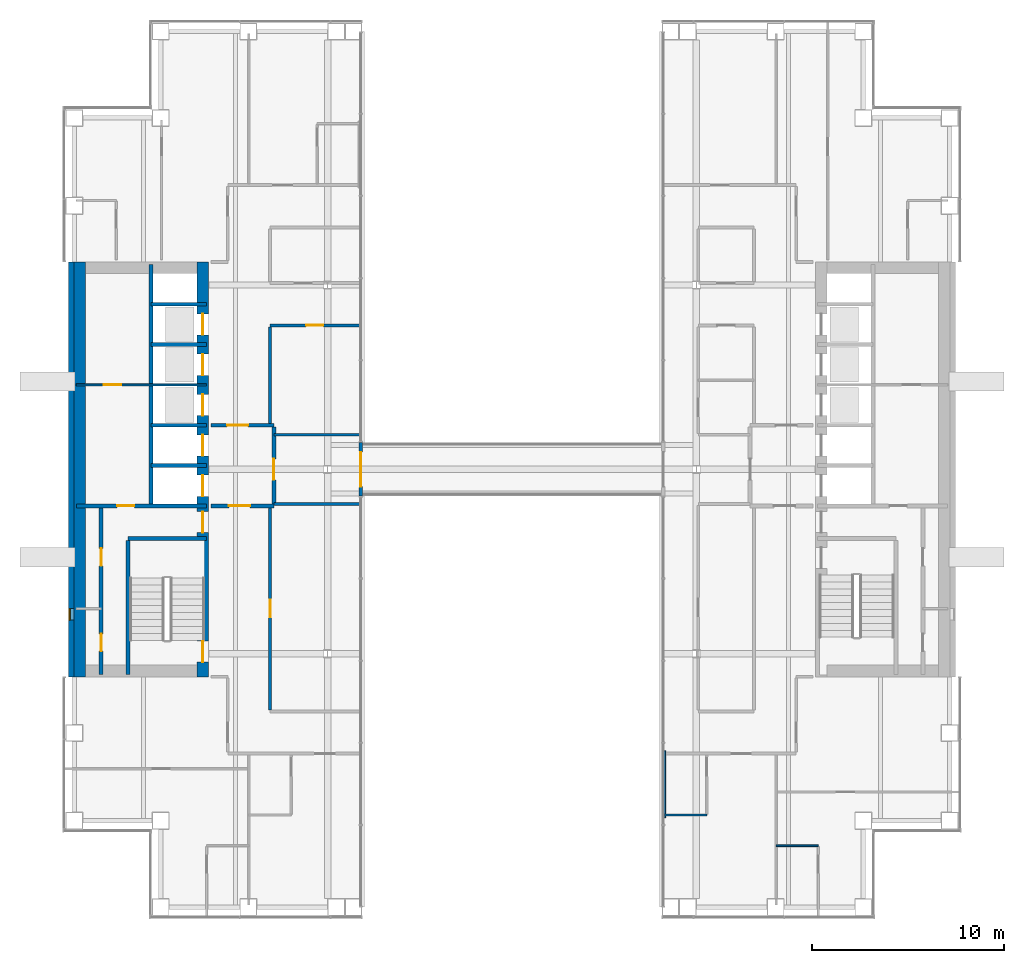
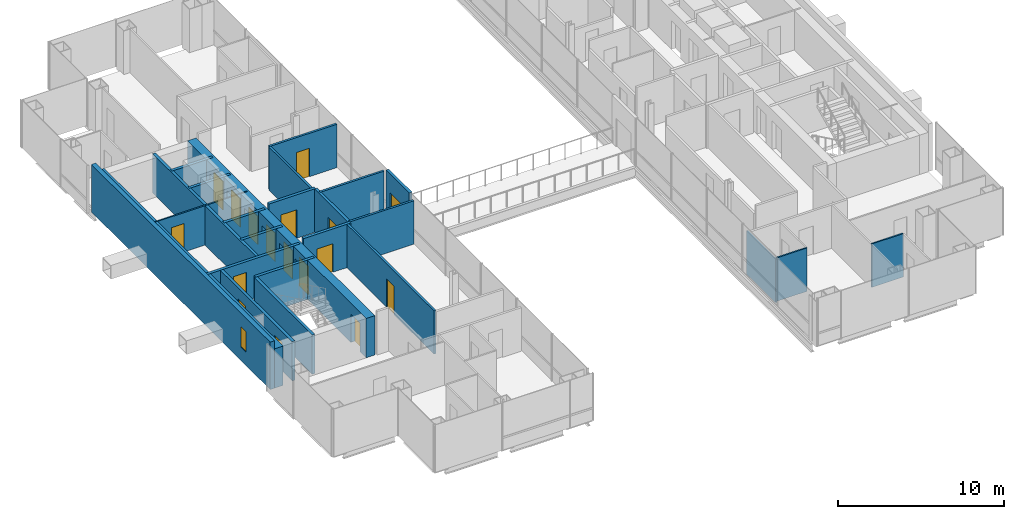
# One storey, part 12 of 17: 26 walls, 17 doors, 1 window, 18 openings.
"""IFC4 building model written with IfcOpenShell, lengths in metres."""

from ifc_helpers import new_model, si_unit, direction, frame, frame_2d, origin, place, context, subcontext, project, spatial, rectangle, extrude, material, layer, layer_set, type_object, element, fill, save


model = new_model("IFC4")

# Units and contexts
model_context = context("Model", 3, precision=1e-05, world=origin(), true_north=direction((0.0, 1.0)))
body_context = subcontext(model_context, "Body", "Model", "MODEL_VIEW")
ifc_project = project(units=[si_unit("LENGTHUNIT", "METRE"), si_unit("AREAUNIT", "SQUARE_METRE"), si_unit("VOLUMEUNIT", "CUBIC_METRE"), si_unit("PLANEANGLEUNIT", "RADIAN"), si_unit("MASSUNIT", "GRAM", prefix="KILO")], contexts=[model_context])

# Site, building, storey
site_placement = place(None, origin())
site = spatial("IfcSite", under=ifc_project, at=site_placement, CompositionType="ELEMENT")
building_placement = place(site_placement, origin())
building = spatial("IfcBuilding", under=site, at=building_placement, Name="Cobrizo Arcos Hotel Tower", CompositionType="ELEMENT")
storey_placement = place(building_placement, frame((0.0, 0.0, 134.5)))
storey = spatial("IfcBuildingStorey", under=building, at=storey_placement, Name="L34", CompositionType="ELEMENT", Elevation=134.5)

# Walls
ifc_material_1 = material(Name="Gypsum board partition")
ifc_layer_1 = layer(ifc_material_1, 0.14990234375)
ifc_layer_set_1 = layer_set([ifc_layer_1], Name="Corridor wall EI 60 150")
wall_type_1 = type_object("IfcWallType", Name="Corridor wall EI 60 150", PredefinedType="PARTITIONING", material=ifc_layer_set_1)
for number, where, z_axis, x_axis, name in (
    (1, (-12.39990234375, -1.800048828125, 0.0), (0.0, 0.0, 1.0), (1.0, 0.0, 0.0), "Partition 021"),
    (2, (-12.39990234375, 1.800048828125, 0.0), (0.0, 0.0, 1.0), (1.0, 0.0, 0.0), "Partition 025"),
):
    element("IfcWall", number, at=place(storey_placement, frame(where, z_axis=z_axis, x_axis=x_axis)), inside=storey, type_object=wall_type_1, Name=name, PredefinedType="PARTITIONING", context=body_context, shape_type="SweptSolid", body=[
        extrude(rectangle(XDim=4.47998046875, YDim=0.14990234375, at=frame_2d((2.239990234375, 0.0))), origin(), (0.0, 0.0, 1.0), 3.199951171875),
    ])

# Wall, opening, door
wall_1_placement = place(storey_placement, frame((-12.60009765625, 7.5, 0.0), z_axis=(0.0, 0.0, 1.0), x_axis=(1.0, 0.0, 0.0)))
wall_1 = element("IfcWall", 3, at=wall_1_placement, inside=storey, type_object=wall_type_1, Name="Partition 036", PredefinedType="PARTITIONING", context=body_context, shape_type="SweptSolid", body=[
    extrude(rectangle(XDim=4.68017578125, YDim=0.14990234375, at=frame_2d((2.340087890625, 0.0))), origin(), (0.0, 0.0, 1.0), 3.199951171875),
])
opening_1_placement = place(wall_1_placement, frame((1.875, 0.0, 0.0)))
opening_1 = element("IfcOpeningElement", 4, at=opening_1_placement, cuts=wall_1, Name="Opening RD-16", PredefinedType="OPENING", context=body_context, shape_type="SweptSolid", body=[
    extrude(rectangle(XDim=0.89990234375, YDim=2.10009765625, at=frame_2d((0.449951171875, 1.050048828125))), frame((0.0, 0.0869140625, 0.0), z_axis=(0.0, -1.0, 0.0), x_axis=(1.0, 0.0, 0.0)), (0.0, 0.0, 1.0), 0.173828125),
])
ifc_material_2 = material(Name="Timber door leaf", Category="wood")
door_type_1 = type_object("IfcDoorType", Name="Room door FD30 900x2100", OperationType="SINGLE_SWING_LEFT", PredefinedType="DOOR", material=ifc_material_2)
door_1_placement = place(opening_1_placement, origin())
door_1 = element("IfcDoor", 5, at=door_1_placement, inside=storey, type_object=door_type_1, Name="Door RD-16", OperationType="SINGLE_SWING_LEFT", OverallHeight=2.10009765625, OverallWidth=0.89990234375, PredefinedType="DOOR", context=body_context, shape_type="SweptSolid", body=[
    extrude(rectangle(XDim=0.89990234375, YDim=2.10009765625, at=frame_2d((0.449951171875, 1.050048828125))), frame((0.0, 0.02490234375, 0.0), z_axis=(0.0, -1.0, 0.0), x_axis=(1.0, 0.0, 0.0)), (0.0, 0.0, 1.0), 0.050048828125),
])
fill(opening_1, door_1)

wall_2_placement = place(storey_placement, frame((-12.60009765625, -12.52490234375, 0.0), z_axis=(0.0, 0.0, 1.0), x_axis=(0.0, 1.0, 0.0)))
wall_2 = element("IfcWall", 6, at=wall_2_placement, inside=storey, type_object=wall_type_1, Name="Partition 063", PredefinedType="PARTITIONING", context=body_context, shape_type="SweptSolid", body=[
    extrude(rectangle(XDim=10.52490234375, YDim=0.14990234375, at=frame_2d((5.262451171875, 0.0))), origin(), (0.0, 0.0, 1.0), 3.199951171875),
])
opening_2_placement = place(wall_2_placement, frame((4.824951171875, 0.0, 0.0)))
opening_2 = element("IfcOpeningElement", 7, at=opening_2_placement, cuts=wall_2, Name="Opening RD-18", PredefinedType="OPENING", context=body_context, shape_type="SweptSolid", body=[
    extrude(rectangle(XDim=0.89990234375, YDim=2.10009765625, at=frame_2d((0.449951171875, 1.050048828125))), frame((0.0, 0.0869140625, 0.0), z_axis=(0.0, -1.0, 0.0), x_axis=(1.0, 0.0, 0.0)), (0.0, 0.0, 1.0), 0.173828125),
])
door_2_placement = place(opening_2_placement, origin())
door_2 = element("IfcDoor", 8, at=door_2_placement, inside=storey, type_object=door_type_1, Name="Door RD-18", OperationType="SINGLE_SWING_RIGHT", OverallHeight=2.10009765625, OverallWidth=0.89990234375, PredefinedType="DOOR", context=body_context, shape_type="SweptSolid", body=[
    extrude(rectangle(XDim=0.89990234375, YDim=2.10009765625, at=frame_2d((0.449951171875, 1.050048828125))), frame((0.0, 0.02490234375, 0.0), z_axis=(0.0, -1.0, 0.0), x_axis=(1.0, 0.0, 0.0)), (0.0, 0.0, 1.0), 0.050048828125),
])
fill(opening_2, door_2)

# Wall
wall_3_placement = place(storey_placement, frame((-12.60009765625, 2.39990234375, 0.0), z_axis=(0.0, 0.0, 1.0), x_axis=(0.0, 1.0, 0.0)))
element("IfcWall", 9, at=wall_3_placement, inside=storey, type_object=wall_type_1, Name="Partition 064", PredefinedType="PARTITIONING", context=body_context, shape_type="SweptSolid", body=[
    extrude(rectangle(XDim=5.025146484375, YDim=0.14990234375, at=frame_2d((2.5126953125, 0.0))), origin(), (0.0, 0.0, 1.0), 3.199951171875),
])

# Wall, opening, window
ifc_material_3 = material(Name="Aluminium composite panel pale metal", Category="aluminium")
ifc_layer_2 = layer(ifc_material_3, 0.300048828125)
ifc_layer_set_2 = layer_set([ifc_layer_2], Name="EW-1 insulated panel wall 300")
wall_type_2 = type_object("IfcWallType", Name="EW-1 insulated panel wall 300", PredefinedType="SOLIDWALL", material=ifc_layer_set_2)
wall_4_placement = place(storey_placement, frame((-22.949951171875, 10.800048828125, 0.0), z_axis=(0.0, 0.0, 1.0), x_axis=(0.0, -1.0, 0.0)))
wall_4 = element("IfcWall", 10, at=wall_4_placement, inside=storey, type_object=wall_type_2, Name="Core face wall L34 W", PredefinedType="SOLIDWALL", context=body_context, shape_type="SweptSolid", body=[
    extrude(rectangle(XDim=21.60009765625, YDim=0.300048828125, at=frame_2d((10.800048828125, 0.0))), origin(), (0.0, 0.0, 1.0), 3.5),
])
opening_3_placement = place(wall_4_placement, frame((18.050048828125, 0.0, 1.0)))
opening_3 = element("IfcOpeningElement", 11, at=opening_3_placement, cuts=wall_4, Name="Opening W-70", PredefinedType="OPENING", context=body_context, shape_type="SweptSolid", body=[
    extrude(rectangle(XDim=0.60009765625, YDim=1.5, at=frame_2d((0.300048828125, 0.75))), frame((0.0, 0.162109375, 0.0), z_axis=(0.0, -1.0, 0.0), x_axis=(1.0, 0.0, 0.0)), (0.0, 0.0, 1.0), 0.323974609375),
])
ifc_material_4 = material(Name="Aluminium 6063-T6 and clear laminated glass", Category="aluminium")
window_type = type_object("IfcWindowType", Name="W-C1 core stair slot window 600x1500", PartitioningType="SINGLE_PANEL", PredefinedType="WINDOW", material=ifc_material_4)
window_placement = place(opening_3_placement, origin())
window = element("IfcWindow", 12, at=window_placement, inside=storey, type_object=window_type, Name="Core face wall L34 W window W-70", OverallHeight=1.5, OverallWidth=0.60009765625, PartitioningType="SINGLE_PANEL", PredefinedType="WINDOW", context=body_context, shape_type="SweptSolid", body=[
    extrude(rectangle(XDim=0.60009765625, YDim=1.5, at=frame_2d((0.300048828125, 0.75))), frame((0.0, -0.06005859375, 0.0), z_axis=(0.0, -1.0, 0.0), x_axis=(1.0, 0.0, 0.0)), (0.0, 0.0, 1.0), 0.06005859375),
])
fill(opening_3, window)

# Wall, opening, door
ifc_material_5 = material(Name="Aluminium 6063-T6 anodised pale", Category="aluminium")
ifc_layer_3 = layer(ifc_material_5, 0.199951171875)
ifc_layer_set_3 = layer_set([ifc_layer_3], Name="EW-4 sky bridge door frame wall")
wall_type_3 = type_object("IfcWallType", Name="EW-4 sky bridge door frame wall", PredefinedType="SOLIDWALL", material=ifc_layer_set_3)
wall_5_placement = place(storey_placement, frame((-7.875, -1.39990234375, 0.0), z_axis=(0.0, 0.0, 1.0), x_axis=(0.0, 1.0, 0.0)))
wall_5 = element("IfcWall", 13, at=wall_5_placement, inside=storey, type_object=wall_type_3, Name="Sky bridge door wall B W", PredefinedType="SOLIDWALL", context=body_context, shape_type="SweptSolid", body=[
    extrude(rectangle(XDim=2.7998046875, YDim=0.199951171875, at=frame_2d((1.39990234375, 0.0))), origin(), (0.0, 0.0, 1.0), 3.5),
])
opening_4_placement = place(wall_5_placement, frame((0.5, 0.0, 0.0)))
opening_4 = element("IfcOpeningElement", 14, at=opening_4_placement, cuts=wall_5, Name="Opening E-55", PredefinedType="OPENING", context=body_context, shape_type="SweptSolid", body=[
    extrude(rectangle(XDim=1.800048828125, YDim=2.10009765625, at=frame_2d((0.89990234375, 1.050048828125))), frame((0.0, 0.112060546875, 0.0), z_axis=(0.0, -1.0, 0.0), x_axis=(1.0, 0.0, 0.0)), (0.0, 0.0, 1.0), 0.223876953125),
])
door_type_2 = type_object("IfcDoorType", Name="D-B1 sky bridge double door 1800x2100", OperationType="DOUBLE_DOOR_DOUBLE_SWING", PredefinedType="DOOR", material=ifc_material_4)
door_3_placement = place(opening_4_placement, origin())
door_3 = element("IfcDoor", 15, at=door_3_placement, inside=storey, type_object=door_type_2, Name="Sky bridge door wall B W door E-55", OperationType="DOUBLE_DOOR_DOUBLE_SWING", OverallHeight=2.10009765625, OverallWidth=1.800048828125, PredefinedType="DOOR", context=body_context, shape_type="SweptSolid", body=[
    extrude(rectangle(XDim=1.800048828125, YDim=2.10009765625, at=frame_2d((0.89990234375, 1.050048828125))), frame((0.0, 0.02490234375, 0.0), z_axis=(0.0, -1.0, 0.0), x_axis=(1.0, 0.0, 0.0)), (0.0, 0.0, 1.0), 0.050048828125),
])
fill(opening_4, door_3)

# Walls
ifc_layer_4 = layer(ifc_material_1, 0.10009765625)
ifc_layer_set_4 = layer_set([ifc_layer_4], Name="Partition EI 30 100")
wall_type_4 = type_object("IfcWallType", Name="Partition EI 30 100", PredefinedType="PARTITIONING", material=ifc_layer_set_4)
for number, where, z_axis, x_axis, name in (
    (16, (13.75, -19.60009765625, 0.0), (0.0, 0.0, 1.0), (1.0, 0.0, 0.0), "Partition 002"),
    (17, (7.949951171875, -18.0, 0.0), (0.0, 0.0, 1.0), (1.0, 0.0, 0.0), "Partition 004"),
):
    element("IfcWall", number, at=place(storey_placement, frame(where, z_axis=z_axis, x_axis=x_axis)), inside=storey, type_object=wall_type_4, Name=name, PredefinedType="PARTITIONING", context=body_context, shape_type="SweptSolid", body=[
        extrude(rectangle(XDim=2.199951171875, YDim=0.10009765625, at=frame_2d((1.10009765625, 0.0))), origin(), (0.0, 0.0, 1.0), 3.199951171875),
    ])

# Wall, opening, door
wall_6_placement = place(storey_placement, frame((-22.679931640625, 4.39990234375, 0.0), z_axis=(0.0, 0.0, 1.0), x_axis=(1.0, 0.0, 0.0)))
wall_6 = element("IfcWall", 18, at=wall_6_placement, inside=storey, type_object=wall_type_4, Name="Partition 031", PredefinedType="PARTITIONING", context=body_context, shape_type="SweptSolid", body=[
    extrude(rectangle(XDim=6.760009765625, YDim=0.10009765625, at=frame_2d((3.3798828125, 0.0))), origin(), (0.0, 0.0, 1.0), 2.89990234375),
])
opening_5_placement = place(wall_6_placement, frame((1.429931640625, 0.0, 0.0)))
opening_5 = element("IfcOpeningElement", 19, at=opening_5_placement, cuts=wall_6, Name="Opening RD-04", PredefinedType="OPENING", context=body_context, shape_type="SweptSolid", body=[
    extrude(rectangle(XDim=0.89990234375, YDim=2.10009765625, at=frame_2d((0.449951171875, 1.050048828125))), frame((0.0, 0.06201171875, 0.0), z_axis=(0.0, -1.0, 0.0), x_axis=(1.0, 0.0, 0.0)), (0.0, 0.0, 1.0), 0.1240234375),
])
door_4_placement = place(opening_5_placement, origin())
door_4 = element("IfcDoor", 20, at=door_4_placement, inside=storey, type_object=door_type_1, Name="Door RD-04", OperationType="SINGLE_SWING_LEFT", OverallHeight=2.10009765625, OverallWidth=0.89990234375, PredefinedType="DOOR", context=body_context, shape_type="SweptSolid", body=[
    extrude(rectangle(XDim=0.89990234375, YDim=2.10009765625, at=frame_2d((0.449951171875, 1.050048828125))), frame((0.0, 0.02490234375, 0.0), z_axis=(0.0, -1.0, 0.0), x_axis=(1.0, 0.0, 0.0)), (0.0, 0.0, 1.0), 0.050048828125),
])
fill(opening_5, door_4)

# Wall
wall_7_placement = place(storey_placement, frame((7.949951171875, -18.139892578125, 0.0), z_axis=(0.0, 0.0, 1.0), x_axis=(0.0, 1.0, 0.0)))
element("IfcWall", 21, at=wall_7_placement, inside=storey, type_object=wall_type_4, Name="Partition 070", PredefinedType="PARTITIONING", context=body_context, shape_type="SweptSolid", body=[
    extrude(rectangle(XDim=3.47998046875, YDim=0.10009765625, at=frame_2d((1.739990234375, 0.0))), origin(), (0.0, 0.0, 1.0), 3.199951171875),
])

# Wall, openings, doors
ifc_material_6 = material(Name="Concrete f'c 50 MPa", Category="concrete")
ifc_layer_5 = layer(ifc_material_6, 0.60009765625)
ifc_layer_set_5 = layer_set([ifc_layer_5], Name="RC core wall 600 f'c 50")
wall_type_5 = type_object("IfcWallType", Name="RC core wall 600 f'c 50", PredefinedType="SHEAR", material=ifc_layer_set_5)
wall_8_placement = place(storey_placement, frame((-16.10009765625, -10.800048828125, 0.0), z_axis=(0.0, 0.0, 1.0), x_axis=(0.0, 1.0, 0.0)))
wall_8 = element("IfcWall", 22, at=wall_8_placement, inside=storey, type_object=wall_type_5, Name="Core wall CW2, west core, inner face, L34", PredefinedType="SHEAR", context=body_context, shape_type="SweptSolid", body=[
    extrude(rectangle(XDim=21.60009765625, YDim=0.60009765625, at=frame_2d((10.800048828125, 0.0))), origin(), (0.0, 0.0, 1.0), 2.89990234375),
])
opening_6_placement = place(wall_8_placement, frame((9.39990234375, 0.0, 0.0)))
opening_6 = element("IfcOpeningElement", 23, at=opening_6_placement, cuts=wall_8, Name="Opening LD-01", PredefinedType="OPENING", context=body_context, shape_type="SweptSolid", body=[
    extrude(rectangle(XDim=1.10009765625, YDim=2.10009765625, at=frame_2d((0.550048828125, 1.050048828125))), frame((0.0, 0.31201171875, 0.0), z_axis=(0.0, -1.0, 0.0), x_axis=(1.0, 0.0, 0.0)), (0.0, 0.0, 1.0), 0.6240234375),
])
opening_7_placement = place(wall_8_placement, frame((11.5, 0.0, 0.0)))
opening_7 = element("IfcOpeningElement", 24, at=opening_7_placement, cuts=wall_8, Name="Opening LD-02", PredefinedType="OPENING", context=body_context, shape_type="SweptSolid", body=[
    extrude(rectangle(XDim=1.10009765625, YDim=2.10009765625, at=frame_2d((0.550048828125, 1.050048828125))), frame((0.0, 0.31201171875, 0.0), z_axis=(0.0, -1.0, 0.0), x_axis=(1.0, 0.0, 0.0)), (0.0, 0.0, 1.0), 0.6240234375),
])
opening_8_placement = place(wall_8_placement, frame((13.60009765625, 0.0, 0.0)))
opening_8 = element("IfcOpeningElement", 25, at=opening_8_placement, cuts=wall_8, Name="Opening LD-03", PredefinedType="OPENING", context=body_context, shape_type="SweptSolid", body=[
    extrude(rectangle(XDim=1.10009765625, YDim=2.10009765625, at=frame_2d((0.550048828125, 1.050048828125))), frame((0.0, 0.31201171875, 0.0), z_axis=(0.0, -1.0, 0.0), x_axis=(1.0, 0.0, 0.0)), (0.0, 0.0, 1.0), 0.6240234375),
])
opening_9_placement = place(wall_8_placement, frame((15.699951171875, 0.0, 0.0)))
opening_9 = element("IfcOpeningElement", 26, at=opening_9_placement, cuts=wall_8, Name="Opening LD-04", PredefinedType="OPENING", context=body_context, shape_type="SweptSolid", body=[
    extrude(rectangle(XDim=1.10009765625, YDim=2.10009765625, at=frame_2d((0.550048828125, 1.050048828125))), frame((0.0, 0.31201171875, 0.0), z_axis=(0.0, -1.0, 0.0), x_axis=(1.0, 0.0, 0.0)), (0.0, 0.0, 1.0), 0.6240234375),
])
opening_10_placement = place(wall_8_placement, frame((17.800048828125, 0.0, 0.0)))
opening_10 = element("IfcOpeningElement", 27, at=opening_10_placement, cuts=wall_8, Name="Opening LD-05", PredefinedType="OPENING", context=body_context, shape_type="SweptSolid", body=[
    extrude(rectangle(XDim=1.10009765625, YDim=2.10009765625, at=frame_2d((0.550048828125, 1.050048828125))), frame((0.0, 0.31201171875, 0.0), z_axis=(0.0, -1.0, 0.0), x_axis=(1.0, 0.0, 0.0)), (0.0, 0.0, 1.0), 0.6240234375),
])
opening_11_placement = place(wall_8_placement, frame((0.758056640625, 0.0, 0.0)))
opening_11 = element("IfcOpeningElement", 28, at=opening_11_placement, cuts=wall_8, Name="Opening SD-01", PredefinedType="OPENING", context=body_context, shape_type="SweptSolid", body=[
    extrude(rectangle(XDim=1.10009765625, YDim=2.10009765625, at=frame_2d((0.550048828125, 1.050048828125))), frame((0.0, 0.31201171875, 0.0), z_axis=(0.0, -1.0, 0.0), x_axis=(1.0, 0.0, 0.0)), (0.0, 0.0, 1.0), 0.6240234375),
])
opening_12_placement = place(wall_8_placement, frame((7.5, 0.0, 0.0)))
opening_12 = element("IfcOpeningElement", 29, at=opening_12_placement, cuts=wall_8, Name="Opening FD-01", PredefinedType="OPENING", context=body_context, shape_type="SweptSolid", body=[
    extrude(rectangle(XDim=1.10009765625, YDim=2.10009765625, at=frame_2d((0.550048828125, 1.050048828125))), frame((0.0, 0.31201171875, 0.0), z_axis=(0.0, -1.0, 0.0), x_axis=(1.0, 0.0, 0.0)), (0.0, 0.0, 1.0), 0.6240234375),
])
ifc_material_7 = material(Name="Steel door leaf", Category="steel")
door_type_3 = type_object("IfcDoorType", Name="Fire door FD60 1100x2100", OperationType="SINGLE_SWING_LEFT", PredefinedType="DOOR", material=ifc_material_7)
door_5_placement = place(opening_12_placement, origin())
door_5 = element("IfcDoor", 30, at=door_5_placement, inside=storey, type_object=door_type_3, Name="Door FD-01", OperationType="SINGLE_SWING_RIGHT", OverallHeight=2.10009765625, OverallWidth=1.10009765625, PredefinedType="DOOR", context=body_context, shape_type="SweptSolid", body=[
    extrude(rectangle(XDim=1.10009765625, YDim=2.10009765625, at=frame_2d((0.550048828125, 1.050048828125))), frame((0.0, 0.02490234375, 0.0), z_axis=(0.0, -1.0, 0.0), x_axis=(1.0, 0.0, 0.0)), (0.0, 0.0, 1.0), 0.050048828125),
])
fill(opening_12, door_5)
door_type_4 = type_object("IfcDoorType", Name="Lift landing door 1100x2100", OperationType="SLIDING_TO_LEFT", PredefinedType="DOOR", material=ifc_material_7)
door_6_placement = place(opening_6_placement, origin())
door_6 = element("IfcDoor", 31, at=door_6_placement, inside=storey, type_object=door_type_4, Name="Lift landing door LD-01", OperationType="SLIDING_TO_LEFT", OverallHeight=2.10009765625, OverallWidth=1.10009765625, PredefinedType="DOOR", context=body_context, shape_type="SweptSolid", body=[
    extrude(rectangle(XDim=1.10009765625, YDim=2.10009765625, at=frame_2d((0.550048828125, 1.050048828125))), frame((0.0, 0.02490234375, 0.0), z_axis=(0.0, -1.0, 0.0), x_axis=(1.0, 0.0, 0.0)), (0.0, 0.0, 1.0), 0.050048828125),
])
fill(opening_6, door_6)
door_7_placement = place(opening_7_placement, origin())
door_7 = element("IfcDoor", 32, at=door_7_placement, inside=storey, type_object=door_type_4, Name="Lift landing door LD-02", OperationType="SLIDING_TO_LEFT", OverallHeight=2.10009765625, OverallWidth=1.10009765625, PredefinedType="DOOR", context=body_context, shape_type="SweptSolid", body=[
    extrude(rectangle(XDim=1.10009765625, YDim=2.10009765625, at=frame_2d((0.550048828125, 1.050048828125))), frame((0.0, 0.02490234375, 0.0), z_axis=(0.0, -1.0, 0.0), x_axis=(1.0, 0.0, 0.0)), (0.0, 0.0, 1.0), 0.050048828125),
])
fill(opening_7, door_7)
door_8_placement = place(opening_8_placement, origin())
door_8 = element("IfcDoor", 33, at=door_8_placement, inside=storey, type_object=door_type_4, Name="Lift landing door LD-03", OperationType="SLIDING_TO_LEFT", OverallHeight=2.10009765625, OverallWidth=1.10009765625, PredefinedType="DOOR", context=body_context, shape_type="SweptSolid", body=[
    extrude(rectangle(XDim=1.10009765625, YDim=2.10009765625, at=frame_2d((0.550048828125, 1.050048828125))), frame((0.0, 0.02490234375, 0.0), z_axis=(0.0, -1.0, 0.0), x_axis=(1.0, 0.0, 0.0)), (0.0, 0.0, 1.0), 0.050048828125),
])
fill(opening_8, door_8)
door_9_placement = place(opening_9_placement, origin())
door_9 = element("IfcDoor", 34, at=door_9_placement, inside=storey, type_object=door_type_4, Name="Lift landing door LD-04", OperationType="SLIDING_TO_LEFT", OverallHeight=2.10009765625, OverallWidth=1.10009765625, PredefinedType="DOOR", context=body_context, shape_type="SweptSolid", body=[
    extrude(rectangle(XDim=1.10009765625, YDim=2.10009765625, at=frame_2d((0.550048828125, 1.050048828125))), frame((0.0, 0.02490234375, 0.0), z_axis=(0.0, -1.0, 0.0), x_axis=(1.0, 0.0, 0.0)), (0.0, 0.0, 1.0), 0.050048828125),
])
fill(opening_9, door_9)
door_10_placement = place(opening_10_placement, origin())
door_10 = element("IfcDoor", 35, at=door_10_placement, inside=storey, type_object=door_type_4, Name="Lift landing door LD-05", OperationType="SLIDING_TO_LEFT", OverallHeight=2.10009765625, OverallWidth=1.10009765625, PredefinedType="DOOR", context=body_context, shape_type="SweptSolid", body=[
    extrude(rectangle(XDim=1.10009765625, YDim=2.10009765625, at=frame_2d((0.550048828125, 1.050048828125))), frame((0.0, 0.02490234375, 0.0), z_axis=(0.0, -1.0, 0.0), x_axis=(1.0, 0.0, 0.0)), (0.0, 0.0, 1.0), 0.050048828125),
])
fill(opening_10, door_10)
door_type_5 = type_object("IfcDoorType", Name="Stair door FD60S 1100x2100", OperationType="SINGLE_SWING_LEFT", PredefinedType="DOOR", material=ifc_material_7)
door_11_placement = place(opening_11_placement, origin())
door_11 = element("IfcDoor", 36, at=door_11_placement, inside=storey, type_object=door_type_5, Name="Door SD-01", OperationType="SINGLE_SWING_RIGHT", OverallHeight=2.10009765625, OverallWidth=1.10009765625, PredefinedType="DOOR", context=body_context, shape_type="SweptSolid", body=[
    extrude(rectangle(XDim=1.10009765625, YDim=2.10009765625, at=frame_2d((0.550048828125, 1.050048828125))), frame((0.0, 0.02490234375, 0.0), z_axis=(0.0, -1.0, 0.0), x_axis=(1.0, 0.0, 0.0)), (0.0, 0.0, 1.0), 0.050048828125),
])
fill(opening_11, door_11)

# Wall
wall_9_placement = place(storey_placement, frame((-22.5, -10.800048828125, 0.0), z_axis=(0.0, 0.0, 1.0), x_axis=(0.0, 1.0, 0.0)))
element("IfcWall", 37, at=wall_9_placement, inside=storey, type_object=wall_type_5, Name="Core wall CW2, west core, outer face, L34", PredefinedType="SHEAR", context=body_context, shape_type="SweptSolid", body=[
    extrude(rectangle(XDim=21.60009765625, YDim=0.60009765625, at=frame_2d((10.800048828125, 0.0))), origin(), (0.0, 0.0, 1.0), 2.89990234375),
])

# Wall, opening, door
ifc_layer_6 = layer(ifc_material_1, 0.199951171875)
ifc_layer_set_6 = layer_set([ifc_layer_6], Name="Shaft wall EI 120 200")
wall_type_6 = type_object("IfcWallType", Name="Shaft wall EI 120 200", PredefinedType="PARTITIONING", material=ifc_layer_set_6)
wall_10_placement = place(storey_placement, frame((-22.679931640625, -1.89990234375, 0.0), z_axis=(0.0, 0.0, 1.0), x_axis=(1.0, 0.0, 0.0)))
wall_10 = element("IfcWall", 38, at=wall_10_placement, inside=storey, type_object=wall_type_6, Name="Partition 017", PredefinedType="PARTITIONING", context=body_context, shape_type="SweptSolid", body=[
    extrude(rectangle(XDim=6.760009765625, YDim=0.199951171875, at=frame_2d((3.3798828125, 0.0))), origin(), (0.0, 0.0, 1.0), 2.89990234375),
])
opening_13_placement = place(wall_10_placement, frame((2.1201171875, 0.0, 0.0)))
opening_13 = element("IfcOpeningElement", 39, at=opening_13_placement, cuts=wall_10, Name="Opening RD-03", PredefinedType="OPENING", context=body_context, shape_type="SweptSolid", body=[
    extrude(rectangle(XDim=0.89990234375, YDim=2.10009765625, at=frame_2d((0.449951171875, 1.050048828125))), frame((0.0, 0.112060546875, 0.0), z_axis=(0.0, -1.0, 0.0), x_axis=(1.0, 0.0, 0.0)), (0.0, 0.0, 1.0), 0.223876953125),
])
door_12_placement = place(opening_13_placement, origin())
door_12 = element("IfcDoor", 40, at=door_12_placement, inside=storey, type_object=door_type_1, Name="Door RD-03", OperationType="SINGLE_SWING_RIGHT", OverallHeight=2.10009765625, OverallWidth=0.89990234375, PredefinedType="DOOR", context=body_context, shape_type="SweptSolid", body=[
    extrude(rectangle(XDim=0.89990234375, YDim=2.10009765625, at=frame_2d((0.449951171875, 1.050048828125))), frame((0.0, 0.02490234375, 0.0), z_axis=(0.0, -1.0, 0.0), x_axis=(1.0, 0.0, 0.0)), (0.0, 0.0, 1.0), 0.050048828125),
])
fill(opening_13, door_12)

wall_11_placement = place(storey_placement, frame((-15.679931640625, -1.89990234375, 0.0), z_axis=(0.0, 0.0, 1.0), x_axis=(1.0, 0.0, 0.0)))
wall_11 = element("IfcWall", 41, at=wall_11_placement, inside=storey, type_object=wall_type_6, Name="Partition 018", PredefinedType="PARTITIONING", context=body_context, shape_type="SweptSolid", body=[
    extrude(rectangle(XDim=3.280029296875, YDim=0.199951171875, at=frame_2d((1.64013671875, 0.0))), origin(), (0.0, 0.0, 1.0), 3.199951171875),
])
opening_14_placement = place(wall_11_placement, frame((0.93994140625, 0.0, 0.0)))
opening_14 = element("IfcOpeningElement", 42, at=opening_14_placement, cuts=wall_11, Name="Opening FD-03", PredefinedType="OPENING", context=body_context, shape_type="SweptSolid", body=[
    extrude(rectangle(XDim=1.10009765625, YDim=2.10009765625, at=frame_2d((0.550048828125, 1.050048828125))), frame((0.0, 0.112060546875, 0.0), z_axis=(0.0, -1.0, 0.0), x_axis=(1.0, 0.0, 0.0)), (0.0, 0.0, 1.0), 0.223876953125),
])
door_13_placement = place(opening_14_placement, origin())
door_13 = element("IfcDoor", 43, at=door_13_placement, inside=storey, type_object=door_type_3, Name="Door FD-03", OperationType="SINGLE_SWING_RIGHT", OverallHeight=2.10009765625, OverallWidth=1.10009765625, PredefinedType="DOOR", context=body_context, shape_type="SweptSolid", body=[
    extrude(rectangle(XDim=1.10009765625, YDim=2.10009765625, at=frame_2d((0.550048828125, 1.050048828125))), frame((0.0, 0.02490234375, 0.0), z_axis=(0.0, -1.0, 0.0), x_axis=(1.0, 0.0, 0.0)), (0.0, 0.0, 1.0), 0.050048828125),
])
fill(opening_14, door_13)

# Walls
for number, where, z_axis, x_axis, name in (
    (44, (-18.800048828125, 0.199951171875, 0.0), (0.0, 0.0, 1.0), (1.0, 0.0, 0.0), "Partition 023"),
    (45, (-18.800048828125, 2.300048828125, 0.0), (0.0, 0.0, 1.0), (1.0, 0.0, 0.0), "Partition 027"),
):
    element("IfcWall", number, at=place(storey_placement, frame(where, z_axis=z_axis, x_axis=x_axis)), inside=storey, type_object=wall_type_6, Name=name, PredefinedType="PARTITIONING", context=body_context, shape_type="SweptSolid", body=[
        extrude(rectangle(XDim=2.880126953125, YDim=0.199951171875, at=frame_2d((1.43994140625, 0.0))), origin(), (0.0, 0.0, 1.0), 2.89990234375),
    ])

# Wall, opening, door
wall_12_placement = place(storey_placement, frame((-15.679931640625, 2.300048828125, 0.0), z_axis=(0.0, 0.0, 1.0), x_axis=(1.0, 0.0, 0.0)))
wall_12 = element("IfcWall", 46, at=wall_12_placement, inside=storey, type_object=wall_type_6, Name="Partition 028", PredefinedType="PARTITIONING", context=body_context, shape_type="SweptSolid", body=[
    extrude(rectangle(XDim=3.280029296875, YDim=0.199951171875, at=frame_2d((1.64013671875, 0.0))), origin(), (0.0, 0.0, 1.0), 3.199951171875),
])
opening_15_placement = place(wall_12_placement, frame((0.840087890625, 0.0, 0.0)))
opening_15 = element("IfcOpeningElement", 47, at=opening_15_placement, cuts=wall_12, Name="Opening FD-04", PredefinedType="OPENING", context=body_context, shape_type="SweptSolid", body=[
    extrude(rectangle(XDim=1.10009765625, YDim=2.10009765625, at=frame_2d((0.550048828125, 1.050048828125))), frame((0.0, 0.112060546875, 0.0), z_axis=(0.0, -1.0, 0.0), x_axis=(1.0, 0.0, 0.0)), (0.0, 0.0, 1.0), 0.223876953125),
])
door_14_placement = place(opening_15_placement, origin())
door_14 = element("IfcDoor", 48, at=door_14_placement, inside=storey, type_object=door_type_3, Name="Door FD-04", OperationType="SINGLE_SWING_LEFT", OverallHeight=2.10009765625, OverallWidth=1.10009765625, PredefinedType="DOOR", context=body_context, shape_type="SweptSolid", body=[
    extrude(rectangle(XDim=1.10009765625, YDim=2.10009765625, at=frame_2d((0.550048828125, 1.050048828125))), frame((0.0, 0.02490234375, 0.0), z_axis=(0.0, -1.0, 0.0), x_axis=(1.0, 0.0, 0.0)), (0.0, 0.0, 1.0), 0.050048828125),
])
fill(opening_15, door_14)

# Walls
for number, where, z_axis, x_axis, name in (
    (49, (-18.800048828125, 6.5, 0.0), (0.0, 0.0, 1.0), (1.0, 0.0, 0.0), "Partition 034"),
    (50, (-18.800048828125, 8.60009765625, 0.0), (0.0, 0.0, 1.0), (1.0, 0.0, 0.0), "Partition 038"),
):
    element("IfcWall", number, at=place(storey_placement, frame(where, z_axis=z_axis, x_axis=x_axis)), inside=storey, type_object=wall_type_6, Name=name, PredefinedType="PARTITIONING", context=body_context, shape_type="SweptSolid", body=[
        extrude(rectangle(XDim=2.880126953125, YDim=0.199951171875, at=frame_2d((1.43994140625, 0.0))), origin(), (0.0, 0.0, 1.0), 2.89990234375),
    ])

# Wall, openings, doors
wall_13_placement = place(storey_placement, frame((-21.39990234375, -10.679931640625, 0.0), z_axis=(0.0, 0.0, 1.0), x_axis=(0.0, 1.0, 0.0)))
wall_13 = element("IfcWall", 51, at=wall_13_placement, inside=storey, type_object=wall_type_6, Name="Partition 052", PredefinedType="PARTITIONING", context=body_context, shape_type="SweptSolid", body=[
    extrude(rectangle(XDim=8.679931640625, YDim=0.199951171875, at=frame_2d((4.33984375, 0.0))), origin(), (0.0, 0.0, 1.0), 2.89990234375),
])
opening_16_placement = place(wall_13_placement, frame((1.2099609375, 0.0, 0.0)))
opening_16 = element("IfcOpeningElement", 52, at=opening_16_placement, cuts=wall_13, Name="Opening RD-01", PredefinedType="OPENING", context=body_context, shape_type="SweptSolid", body=[
    extrude(rectangle(XDim=0.89990234375, YDim=2.10009765625, at=frame_2d((0.449951171875, 1.050048828125))), frame((0.0, 0.112060546875, 0.0), z_axis=(0.0, -1.0, 0.0), x_axis=(1.0, 0.0, 0.0)), (0.0, 0.0, 1.0), 0.223876953125),
])
opening_17_placement = place(wall_13_placement, frame((5.659912109375, 0.0, 0.0)))
opening_17 = element("IfcOpeningElement", 53, at=opening_17_placement, cuts=wall_13, Name="Opening RD-02", PredefinedType="OPENING", context=body_context, shape_type="SweptSolid", body=[
    extrude(rectangle(XDim=0.89990234375, YDim=2.10009765625, at=frame_2d((0.449951171875, 1.050048828125))), frame((0.0, 0.112060546875, 0.0), z_axis=(0.0, -1.0, 0.0), x_axis=(1.0, 0.0, 0.0)), (0.0, 0.0, 1.0), 0.223876953125),
])
door_15_placement = place(opening_16_placement, origin())
door_15 = element("IfcDoor", 54, at=door_15_placement, inside=storey, type_object=door_type_1, Name="Door RD-01", OperationType="SINGLE_SWING_LEFT", OverallHeight=2.10009765625, OverallWidth=0.89990234375, PredefinedType="DOOR", context=body_context, shape_type="SweptSolid", body=[
    extrude(rectangle(XDim=0.89990234375, YDim=2.10009765625, at=frame_2d((0.449951171875, 1.050048828125))), frame((0.0, 0.02490234375, 0.0), z_axis=(0.0, -1.0, 0.0), x_axis=(1.0, 0.0, 0.0)), (0.0, 0.0, 1.0), 0.050048828125),
])
fill(opening_16, door_15)
door_16_placement = place(opening_17_placement, origin())
door_16 = element("IfcDoor", 55, at=door_16_placement, inside=storey, type_object=door_type_1, Name="Door RD-02", OperationType="SINGLE_SWING_RIGHT", OverallHeight=2.10009765625, OverallWidth=0.89990234375, PredefinedType="DOOR", context=body_context, shape_type="SweptSolid", body=[
    extrude(rectangle(XDim=0.89990234375, YDim=2.10009765625, at=frame_2d((0.449951171875, 1.050048828125))), frame((0.0, 0.02490234375, 0.0), z_axis=(0.0, -1.0, 0.0), x_axis=(1.0, 0.0, 0.0)), (0.0, 0.0, 1.0), 0.050048828125),
])
fill(opening_17, door_16)

# Walls
wall_14_placement = place(storey_placement, frame((-18.800048828125, -1.800048828125, 0.0), z_axis=(0.0, 0.0, 1.0), x_axis=(0.0, 1.0, 0.0)))
element("IfcWall", 56, at=wall_14_placement, inside=storey, type_object=wall_type_6, Name="Partition 055", PredefinedType="PARTITIONING", context=body_context, shape_type="SweptSolid", body=[
    extrude(rectangle(XDim=6.150146484375, YDim=0.199951171875, at=frame_2d((3.0751953125, 0.0))), origin(), (0.0, 0.0, 1.0), 2.89990234375),
])
wall_15_placement = place(storey_placement, frame((-18.800048828125, 4.449951171875, 0.0), z_axis=(0.0, 0.0, 1.0), x_axis=(0.0, 1.0, 0.0)))
element("IfcWall", 57, at=wall_15_placement, inside=storey, type_object=wall_type_6, Name="Partition 056", PredefinedType="PARTITIONING", context=body_context, shape_type="SweptSolid", body=[
    extrude(rectangle(XDim=6.22998046875, YDim=0.199951171875, at=frame_2d((3.114990234375, 0.0))), origin(), (0.0, 0.0, 1.0), 2.89990234375),
])

# Wall, opening, door
wall_16_placement = place(storey_placement, frame((-12.39990234375, -1.800048828125, 0.0), z_axis=(0.0, 0.0, 1.0), x_axis=(0.0, 1.0, 0.0)))
wall_16 = element("IfcWall", 58, at=wall_16_placement, inside=storey, type_object=wall_type_6, Name="Partition 066", PredefinedType="PARTITIONING", context=body_context, shape_type="SweptSolid", body=[
    extrude(rectangle(XDim=4.0, YDim=0.199951171875, at=frame_2d((2.0, 0.0))), origin(), (0.0, 0.0, 1.0), 3.199951171875),
])
opening_18_placement = place(wall_16_placement, frame((1.25, 0.0, 0.0)))
opening_18 = element("IfcOpeningElement", 59, at=opening_18_placement, cuts=wall_16, Name="Opening FD-02", PredefinedType="OPENING", context=body_context, shape_type="SweptSolid", body=[
    extrude(rectangle(XDim=1.10009765625, YDim=2.10009765625, at=frame_2d((0.550048828125, 1.050048828125))), frame((0.0, 0.112060546875, 0.0), z_axis=(0.0, -1.0, 0.0), x_axis=(1.0, 0.0, 0.0)), (0.0, 0.0, 1.0), 0.223876953125),
])
door_17_placement = place(opening_18_placement, origin())
door_17 = element("IfcDoor", 60, at=door_17_placement, inside=storey, type_object=door_type_3, Name="Door FD-02", OperationType="SINGLE_SWING_RIGHT", OverallHeight=2.10009765625, OverallWidth=1.10009765625, PredefinedType="DOOR", context=body_context, shape_type="SweptSolid", body=[
    extrude(rectangle(XDim=1.10009765625, YDim=2.10009765625, at=frame_2d((0.550048828125, 1.050048828125))), frame((0.0, 0.02490234375, 0.0), z_axis=(0.0, -1.0, 0.0), x_axis=(1.0, 0.0, 0.0)), (0.0, 0.0, 1.0), 0.050048828125),
])
fill(opening_18, door_17)

# Walls
ifc_material_8 = material(Name="Concrete f'c 40 MPa", Category="concrete")
ifc_layer_7 = layer(ifc_material_8, 0.199951171875)
ifc_layer_set_7 = layer_set([ifc_layer_7], Name="Stair shaft wall 200")
wall_type_7 = type_object("IfcWallType", Name="Stair shaft wall 200", PredefinedType="SHEAR", material=ifc_layer_set_7)
wall_17_placement = place(storey_placement, frame((-20.0, -3.60009765625, 0.0), z_axis=(0.0, 0.0, 1.0), x_axis=(1.0, 0.0, 0.0)))
element("IfcWall", 61, at=wall_17_placement, inside=storey, type_object=wall_type_7, Name="Stair shaft wall W", PredefinedType="SHEAR", context=body_context, shape_type="SweptSolid", body=[
    extrude(rectangle(XDim=4.080078125, YDim=0.199951171875, at=frame_2d((2.0400390625, 0.0))), origin(), (0.0, 0.0, 1.0), 2.89990234375),
])
wall_18_placement = place(storey_placement, frame((-20.0, -10.679931640625, 0.0), z_axis=(0.0, 0.0, 1.0), x_axis=(0.0, 1.0, 0.0)))
element("IfcWall", 62, at=wall_18_placement, inside=storey, type_object=wall_type_7, Name="Stair shaft wall W", PredefinedType="SHEAR", context=body_context, shape_type="SweptSolid", body=[
    extrude(rectangle(XDim=6.97998046875, YDim=0.199951171875, at=frame_2d((3.489990234375, 0.0))), origin(), (0.0, 0.0, 1.0), 2.89990234375),
])

save(model, "model.ifc")
